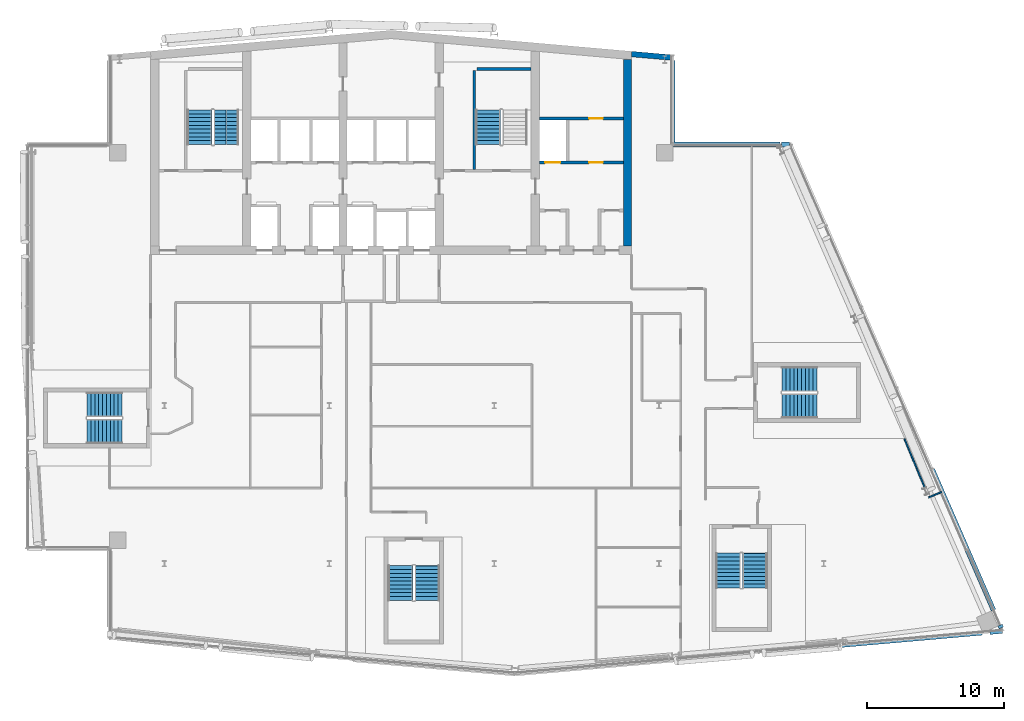
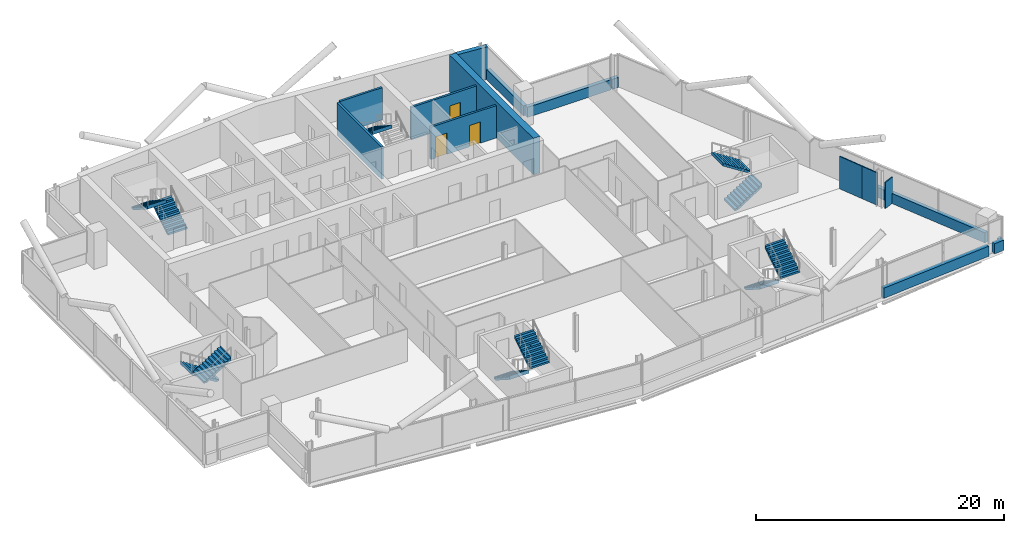
# One storey, part 19 of 27: 16 walls, 11 stair flights, 3 doors, 3 openings, 6 elements without a shape of their own.
"""IFC4 building model written with IfcOpenShell, lengths in metres."""

from ifc_helpers import new_model, si_unit, direction, frame, frame_2d, origin, place, context, subcontext, project, spatial, polyline, rectangle, outline, extrude, material, layer, layer_set, type_object, element, fill, aggregate, save


model = new_model("IFC4")

# Units and contexts
model_context = context("Model", 3, precision=1e-05, world=origin(), true_north=direction((0.0, 1.0)))
body_context = subcontext(model_context, "Body", "Model", "MODEL_VIEW")
ifc_project = project(units=[si_unit("LENGTHUNIT", "METRE"), si_unit("AREAUNIT", "SQUARE_METRE"), si_unit("VOLUMEUNIT", "CUBIC_METRE"), si_unit("PLANEANGLEUNIT", "RADIAN"), si_unit("MASSUNIT", "GRAM", prefix="KILO")], contexts=[model_context])

# Site, building, storey
site_placement = place(None, origin())
site = spatial("IfcSite", under=ifc_project, at=site_placement, CompositionType="ELEMENT")
building_placement = place(site_placement, origin())
building = spatial("IfcBuilding", under=site, at=building_placement, Name="Wharfspan Tower", CompositionType="ELEMENT")
storey_placement = place(building_placement, frame((0.0, 0.0, 221.5)))
storey = spatial("IfcBuildingStorey", under=building, at=storey_placement, Name="L55", CompositionType="ELEMENT", Elevation=221.5)

# Wall
ifc_material_1 = material(Name="Concrete C50/60", Category="concrete")
ifc_layer_1 = layer(ifc_material_1, 0.600098)
ifc_layer_set_1 = layer_set([ifc_layer_1], Name="Concrete C50/60")
wall_type_1 = type_object("IfcWallType", Name="Core wall 600 C50/60", PredefinedType="SHEAR", material=ifc_layer_set_1)
wall_1_placement = place(storey_placement, frame((57.699951, 34.600098, 0.0), z_axis=(0.0, 0.0, 1.0), x_axis=(0.0, 1.0, 0.0)))
element("IfcWall", 1, at=wall_1_placement, inside=storey, type_object=wall_type_1, Name="Core cross wall EW1 L55", PredefinedType="SHEAR", context=body_context, shape_type="SweptSolid", body=[
    extrude(rectangle(XDim=13.584961, YDim=0.600098, at=frame_2d((6.79248, 0.0))), origin(), (0.0, 0.0, 1.0), 3.600098),
])

# Wall, openings, doors
ifc_material_2 = material(Name="Concrete C30/37", Category="concrete")
ifc_layer_2 = layer(ifc_material_2, 0.199951)
ifc_layer_set_2 = layer_set([ifc_layer_2], Name="Concrete C30/37")
wall_type_2 = type_object("IfcWallType", Name="Lift shaft wall 200", PredefinedType="PARTITIONING", material=ifc_layer_set_2)
wall_2_placement = place(storey_placement, frame((51.300049, 40.699951, 0.0), z_axis=(0.0, 0.0, 1.0), x_axis=(1.0, 0.0, 0.0)))
wall_2 = element("IfcWall", 2, at=wall_2_placement, inside=storey, type_object=wall_type_2, Name="sw:L55:RF6", PredefinedType="PARTITIONING", context=body_context, shape_type="SweptSolid", body=[
    extrude(rectangle(XDim=6.099854, YDim=0.199951, at=frame_2d((3.049805, 0.0))), origin(), (0.0, 0.0, 1.0), 3.199951),
])
opening_1_placement = place(wall_2_placement, frame((0.416748, 0.0, 0.0)))
opening_1 = element("IfcOpeningElement", 3, at=opening_1_placement, cuts=wall_2, Name="Opening LD.LB8.L55", PredefinedType="OPENING", context=body_context, shape_type="SweptSolid", body=[
    extrude(rectangle(XDim=1.100098, YDim=2.100098, at=frame_2d((0.550049, 1.050049))), frame((0.0, 0.109863, 0.0), z_axis=(0.0, -1.0, 0.0), x_axis=(1.0, 0.0, 0.0)), (0.0, 0.0, 1.0), 0.219971),
])
opening_2_placement = place(wall_2_placement, frame((3.616699, 0.0, 0.0)))
opening_2 = element("IfcOpeningElement", 4, at=opening_2_placement, cuts=wall_2, Name="Opening CD55.6R2", PredefinedType="OPENING", context=body_context, shape_type="SweptSolid", body=[
    extrude(rectangle(XDim=1.0, YDim=2.100098, at=frame_2d((0.5, 1.050049))), frame((0.0, 0.109863, 0.0), z_axis=(0.0, -1.0, 0.0), x_axis=(1.0, 0.0, 0.0)), (0.0, 0.0, 1.0), 0.219971),
])
ifc_material_3 = material(Name="Steel door leaf", Category="steel")
door_type_1 = type_object("IfcDoorType", Name="Core room door 1000x2100", OperationType="SINGLE_SWING_LEFT", PredefinedType="DOOR", material=ifc_material_3)
door_1_placement = place(opening_2_placement, origin())
door_1 = element("IfcDoor", 5, at=door_1_placement, inside=storey, type_object=door_type_1, Name="d:L55:6:rd6.2", OperationType="SINGLE_SWING_RIGHT", OverallHeight=2.100098, OverallWidth=1.0, PredefinedType="DOOR", context=body_context, shape_type="SweptSolid", body=[
    extrude(rectangle(XDim=1.0, YDim=2.100098, at=frame_2d((0.5, 1.050049))), frame((0.0, 0.024902, 0.0), z_axis=(0.0, -1.0, 0.0), x_axis=(1.0, 0.0, 0.0)), (0.0, 0.0, 1.0), 0.050049),
])
fill(opening_2, door_1)
ifc_material_4 = material(Name="Stainless steel", Category="steel")
door_type_2 = type_object("IfcDoorType", Name="Lift landing door 1100x2100", OperationType="DOUBLE_DOOR_SLIDING", PredefinedType="DOOR", material=ifc_material_4)
door_2_placement = place(opening_1_placement, origin())
door_2 = element("IfcDoor", 6, at=door_2_placement, inside=storey, type_object=door_type_2, Name="Landing door LB8 L55", OperationType="DOUBLE_DOOR_SLIDING", OverallHeight=2.100098, OverallWidth=1.100098, PredefinedType="DOOR", context=body_context, shape_type="SweptSolid", body=[
    extrude(rectangle(XDim=1.100098, YDim=2.100098, at=frame_2d((0.550049, 1.050049))), frame((0.0, 0.024902, 0.0), z_axis=(0.0, -1.0, 0.0), x_axis=(1.0, 0.0, 0.0)), (0.0, 0.0, 1.0), 0.050049),
])
fill(opening_1, door_2)

# Wall, opening, door
wall_3_placement = place(storey_placement, frame((51.300049, 43.899902, 0.0), z_axis=(0.0, 0.0, 1.0), x_axis=(1.0, 0.0, 0.0)))
wall_3 = element("IfcWall", 7, at=wall_3_placement, inside=storey, type_object=wall_type_2, Name="sw:L55:RR6", PredefinedType="PARTITIONING", context=body_context, shape_type="SweptSolid", body=[
    extrude(rectangle(XDim=6.099854, YDim=0.199951, at=frame_2d((3.049805, 0.0))), origin(), (0.0, 0.0, 1.0), 3.199951),
])
opening_3_placement = place(wall_3_placement, frame((3.616699, 0.0, 0.0)))
opening_3 = element("IfcOpeningElement", 8, at=opening_3_placement, cuts=wall_3, Name="Opening CD55.6S2", PredefinedType="OPENING", context=body_context, shape_type="SweptSolid", body=[
    extrude(rectangle(XDim=1.0, YDim=2.100098, at=frame_2d((0.5, 1.050049))), frame((0.0, 0.109863, 0.0), z_axis=(0.0, -1.0, 0.0), x_axis=(1.0, 0.0, 0.0)), (0.0, 0.0, 1.0), 0.219971),
])
door_3_placement = place(opening_3_placement, origin())
door_3 = element("IfcDoor", 9, at=door_3_placement, inside=storey, type_object=door_type_1, Name="d:L55:6:rs6.2", OperationType="SINGLE_SWING_LEFT", OverallHeight=2.100098, OverallWidth=1.0, PredefinedType="DOOR", context=body_context, shape_type="SweptSolid", body=[
    extrude(rectangle(XDim=1.0, YDim=2.100098, at=frame_2d((0.5, 1.050049))), frame((0.0, 0.024902, 0.0), z_axis=(0.0, -1.0, 0.0), x_axis=(1.0, 0.0, 0.0)), (0.0, 0.0, 1.0), 0.050049),
])
fill(opening_3, door_3)

# Walls
ifc_material_5 = material(Name="Gypsum board on steel studs", Category="steel")
ifc_layer_3 = layer(ifc_material_5, 0.100098)
ifc_layer_set_3 = layer_set([ifc_layer_3], Name="Gypsum board on steel studs")
wall_type_3 = type_object("IfcWallType", Name="Partition 100", PredefinedType="PARTITIONING", material=ifc_layer_set_3)
wall_4_placement = place(storey_placement, frame((78.75, 18.445068, 0.0), z_axis=(0.0, 0.0, 1.0), x_axis=(-0.381663, 0.924299, 0.0)))
element("IfcWall", 10, at=wall_4_placement, inside=storey, type_object=wall_type_3, Name="Partition L55.w055", PredefinedType="PARTITIONING", context=body_context, shape_type="SweptSolid", body=[
    extrude(rectangle(XDim=2.309814, YDim=0.100098, at=frame_2d((1.154785, 0.0))), origin(), (0.0, 0.0, 1.0), 3.199951),
])
wall_5_placement = place(storey_placement, frame((79.350098, 17.004883, 0.0), z_axis=(0.0, 0.0, 1.0), x_axis=(-0.383703, 0.923459, 0.0)))
element("IfcWall", 11, at=wall_5_placement, inside=storey, type_object=wall_type_3, Name="Partition L55.w056", PredefinedType="PARTITIONING", context=body_context, shape_type="SweptSolid", body=[
    extrude(rectangle(XDim=1.537842, YDim=0.100098, at=frame_2d((0.769043, 0.0))), origin(), (0.0, 0.0, 1.0), 3.199951),
])
wall_6_placement = place(storey_placement, frame((79.629883, 16.314941, 0.0), z_axis=(0.0, 0.0, 1.0), x_axis=(0.918616, 0.395147, 0.0)))
element("IfcWall", 12, at=wall_6_placement, inside=storey, type_object=wall_type_3, Name="Partition L55.w057", PredefinedType="PARTITIONING", context=body_context, shape_type="SweptSolid", body=[
    extrude(rectangle(XDim=1.03125, YDim=0.100098, at=frame_2d((0.515625, 0.0))), origin(), (0.0, 0.0, 1.0), 2.580078),
])
ifc_material_6 = material(Name="Concrete C40/50", Category="concrete")
ifc_layer_4 = layer(ifc_material_6, 0.350098)
ifc_layer_set_4 = layer_set([ifc_layer_4], Name="Concrete C40/50")
wall_type_4 = type_object("IfcWallType", Name="SPANDREL EXPOSED CONCRETE 350", PredefinedType="SOLIDWALL", material=ifc_layer_set_4)
wall_7_placement = place(storey_placement, frame((73.197021, 5.562256, 0.0), z_axis=(0.0, 0.0, 1.0), x_axis=(0.996198, 0.087163, 0.0)))
element("IfcWall", 13, at=wall_7_placement, inside=storey, type_object=wall_type_4, Name="Spandrel upstand L55 S2 2", PredefinedType="SOLIDWALL", context=body_context, shape_type="SweptSolid", body=[
    extrude(rectangle(XDim=10.35791, YDim=0.350098, at=frame_2d((5.178955, 0.0))), origin(), (0.0, 0.0, 1.0), 1.0),
])
wall_8_placement = place(storey_placement, frame((84.077637, 6.514404, 0.0), z_axis=(0.0, 0.0, 1.0), x_axis=(0.996213, 0.086971, 0.0)))
element("IfcWall", 14, at=wall_8_placement, inside=storey, type_object=wall_type_4, Name="Spandrel upstand L55 S2 3", PredefinedType="SOLIDWALL", context=body_context, shape_type="SweptSolid", body=[
    extrude(rectangle(XDim=0.92627, YDim=0.350098, at=frame_2d((0.463135, 0.0))), origin(), (0.0, 0.0, 1.0), 1.0),
])
wall_9_placement = place(storey_placement, frame((84.9104, 6.818604, 0.0), z_axis=(0.0, 0.0, 1.0), x_axis=(-0.398359, 0.91723, 0.0)))
element("IfcWall", 15, at=wall_9_placement, inside=storey, type_object=wall_type_4, Name="Spandrel upstand L55 E", PredefinedType="SOLIDWALL", context=body_context, shape_type="SweptSolid", body=[
    extrude(rectangle(XDim=0.21875, YDim=0.350098, at=frame_2d((0.109375, 0.0))), origin(), (0.0, 0.0, 1.0), 1.0),
])
wall_10_placement = place(storey_placement, frame((84.344727, 8.119873, 0.0), z_axis=(0.0, 0.0, 1.0), x_axis=(-0.398721, 0.917067, 0.0)))
element("IfcWall", 16, at=wall_10_placement, inside=storey, type_object=wall_type_4, Name="Spandrel upstand L55 E 2", PredefinedType="SOLIDWALL", context=body_context, shape_type="SweptSolid", body=[
    extrude(rectangle(XDim=11.181885, YDim=0.350098, at=frame_2d((5.59082, 0.0))), origin(), (0.0, 0.0, 1.0), 1.0),
])
wall_11_placement = place(storey_placement, frame((69.498535, 42.004883, 0.0), z_axis=(0.0, 0.0, 1.0), x_axis=(-1.0, 0.0, 0.0)))
element("IfcWall", 17, at=wall_11_placement, inside=storey, type_object=wall_type_4, Name="Spandrel upstand L55 NRE-H", PredefinedType="SOLIDWALL", context=body_context, shape_type="SweptSolid", body=[
    extrude(rectangle(XDim=0.57666, YDim=0.350098, at=frame_2d((0.28833, 0.0))), origin(), (0.0, 0.0, 1.0), 1.0),
])
wall_12_placement = place(storey_placement, frame((68.803467, 42.004883, 0.0), z_axis=(0.0, 0.0, 1.0), x_axis=(-1.0, 0.0, 0.0)))
element("IfcWall", 18, at=wall_12_placement, inside=storey, type_object=wall_type_4, Name="Spandrel upstand L55 NRE-H 2", PredefinedType="SOLIDWALL", context=body_context, shape_type="SweptSolid", body=[
    extrude(rectangle(XDim=7.803467, YDim=0.350098, at=frame_2d((3.901855, 0.0))), origin(), (0.0, 0.0, 1.0), 1.0),
])
wall_13_placement = place(storey_placement, frame((61.004883, 42.179932, 0.0), z_axis=(0.0, 0.0, 1.0), x_axis=(0.0, 1.0, 0.0)))
element("IfcWall", 19, at=wall_13_placement, inside=storey, type_object=wall_type_4, Name="Spandrel upstand L55 NRE-V", PredefinedType="SOLIDWALL", context=body_context, shape_type="SweptSolid", body=[
    extrude(rectangle(XDim=5.946533, YDim=0.350098, at=frame_2d((2.973145, 0.0))), origin(), (0.0, 0.0, 1.0), 1.0),
])
ifc_layer_5 = layer(ifc_material_6, 0.199951)
ifc_layer_set_5 = layer_set([ifc_layer_5], Name="Concrete C40/50")
wall_type_5 = type_object("IfcWallType", Name="Stair shaft wall 200", PredefinedType="SHEAR", material=ifc_layer_set_5)
wall_14_placement = place(storey_placement, frame((46.550049, 40.199951, 0.0), z_axis=(0.0, 0.0, 1.0), x_axis=(0.0, 1.0, 0.0)))
element("IfcWall", 20, at=wall_14_placement, inside=storey, type_object=wall_type_5, Name="ST2 stair enclosure wall L55", PredefinedType="SHEAR", context=body_context, shape_type="SweptSolid", body=[
    extrude(rectangle(XDim=7.199951, YDim=0.199951, at=frame_2d((3.600098, 0.0))), origin(), (0.0, 0.0, 1.0), 3.199951),
])
wall_15_placement = place(storey_placement, frame((46.75, 47.5, 0.0), z_axis=(0.0, 0.0, 1.0), x_axis=(1.0, 0.0, 0.0)))
element("IfcWall", 21, at=wall_15_placement, inside=storey, type_object=wall_type_5, Name="ST2 stair enclosure wall L55", PredefinedType="SHEAR", context=body_context, shape_type="SweptSolid", body=[
    extrude(rectangle(XDim=3.949951, YDim=0.199951, at=frame_2d((1.975098, 0.0))), origin(), (0.0, 0.0, 1.0), 3.199951),
])
ifc_layer_6 = layer(ifc_material_6, 0.399902)
ifc_layer_set_6 = layer_set([ifc_layer_6], Name="Concrete C40/50")
wall_type_6 = type_object("IfcWallType", Name="WALL EXPOSED CONCRETE 400", PredefinedType="SOLIDWALL", material=ifc_layer_set_6)
wall_16_placement = place(storey_placement, frame((60.982666, 48.325684, 0.0), z_axis=(0.0, 0.0, 1.0), x_axis=(-0.996194, 0.087168, 0.0)))
element("IfcWall", 22, at=wall_16_placement, inside=storey, type_object=wall_type_6, Name="Rear wall N2", PredefinedType="SOLIDWALL", context=body_context, shape_type="SweptSolid", body=[
    extrude(rectangle(XDim=2.994141, YDim=0.399902, at=frame_2d((1.49707, 0.0))), origin(), (0.0, 0.0, 1.0), 3.199951),
])

# Stair, stair flights
stair_type = type_object("IfcStairType", Name="Half-turn stair 20 risers 180 mm", PredefinedType="HALF_TURN_STAIR", material=ifc_material_6)
stair_1_placement = place(storey_placement, origin())
stair_1 = element("IfcStair", 23, at=stair_1_placement, inside=storey, type_object=stair_type, Name="L55 stair ST1", PredefinedType="HALF_TURN_STAIR")
stair_flight_type = type_object("IfcStairFlightType", Name="Stair flight 20 risers 180 mm", PredefinedType="STRAIGHT", material=ifc_material_6)
stair_flight_1_placement = place(storey_placement, frame((28.5, 42.0, 0.0), z_axis=(0.0, 0.0, 1.0), x_axis=(0.0, 1.0, 0.0)))
stair_flight_1 = element("IfcStairFlight", 24, at=stair_flight_1_placement, type_object=stair_flight_type, Name="ST1 flight 1", NumberOfRisers=10, NumberOfTreads=9, PredefinedType="STRAIGHT", RiserHeight=0.18, TreadLength=0.28, context=body_context, shape_type="SweptSolid", body=[
    extrude(outline(polyline([(-0.011963, 0.0), (-0.011963, 0.179932), (0.0, 0.179932), (0.280029, 0.179932), (0.280029, 0.360107), (0.560059, 0.360107), (0.560059, 0.540039), (0.840088, 0.540039), (0.840088, 0.719971), (1.120117, 0.719971), (1.120117, 0.899902), (1.399902, 0.899902), (1.399902, 1.080078), (1.679932, 1.080078), (1.679932, 1.26001), (1.959961, 1.26001), (1.959961, 1.439941), (2.23999, 1.439941), (2.23999, 1.620117), (2.52002, 1.620117), (2.531982, 1.800049), (2.531982, 1.441895), (0.2771, 0.0), (-0.011963, 0.0)])), frame((0.0, 0.899902, 0.0), z_axis=(0.0, -1.0, 0.0), x_axis=(1.0, 0.0, 0.0)), (0.0, 0.0, 1.0), 0.899414),
    extrude(outline(polyline([(-0.011963, 0.0), (-0.011963, 0.179932), (0.0, 0.179932), (0.280029, 0.179932), (0.280029, 0.360107), (0.560059, 0.360107), (0.560059, 0.540039), (0.840088, 0.540039), (0.840088, 0.719971), (1.120117, 0.719971), (1.120117, 0.899902), (1.399902, 0.899902), (1.399902, 1.080078), (1.679932, 1.080078), (1.679932, 1.26001), (1.959961, 1.26001), (1.959961, 1.439941), (2.23999, 1.439941), (2.23999, 1.620117), (2.52002, 1.620117), (2.531982, 1.800049), (2.531982, 1.441895), (0.2771, 0.0), (-0.011963, 0.0)])), frame((0.0, -0.000488, 0.0), z_axis=(0.0, -1.0, 0.0), x_axis=(1.0, 0.0, 0.0)), (0.0, 0.0, 1.0), 0.899414),
])
stair_flight_2_placement = place(storey_placement, frame((26.550049, 44.52002, 1.800049), z_axis=(0.0, 0.0, 1.0), x_axis=(0.0, -1.0, 0.0)))
stair_flight_2 = element("IfcStairFlight", 25, at=stair_flight_2_placement, type_object=stair_flight_type, Name="ST1 flight 2", NumberOfRisers=10, NumberOfTreads=9, PredefinedType="STRAIGHT", RiserHeight=0.18, TreadLength=0.28, context=body_context, shape_type="SweptSolid", body=[
    extrude(outline(polyline([(-0.011963, 0.0), (-0.011963, 0.179932), (0.0, 0.179932), (0.280029, 0.179932), (0.280029, 0.360107), (0.560059, 0.360107), (0.560059, 0.540039), (0.840088, 0.540039), (0.840088, 0.719971), (1.120117, 0.719971), (1.120117, 0.899902), (1.399902, 0.899902), (1.399902, 1.080078), (1.679932, 1.080078), (1.679932, 1.26001), (1.959961, 1.26001), (1.959961, 1.439941), (2.23999, 1.439941), (2.23999, 1.620117), (2.52002, 1.620117), (2.531982, 1.800049), (2.531982, 1.441895), (0.2771, 0.0), (-0.011963, 0.0)])), frame((0.0, 0.899902, 0.0), z_axis=(0.0, -1.0, 0.0), x_axis=(1.0, 0.0, 0.0)), (0.0, 0.0, 1.0), 0.899414),
    extrude(outline(polyline([(-0.011963, 0.0), (-0.011963, 0.179932), (0.0, 0.179932), (0.280029, 0.179932), (0.280029, 0.360107), (0.560059, 0.360107), (0.560059, 0.540039), (0.840088, 0.540039), (0.840088, 0.719971), (1.120117, 0.719971), (1.120117, 0.899902), (1.399902, 0.899902), (1.399902, 1.080078), (1.679932, 1.080078), (1.679932, 1.26001), (1.959961, 1.26001), (1.959961, 1.439941), (2.23999, 1.439941), (2.23999, 1.620117), (2.52002, 1.620117), (2.531982, 1.800049), (2.531982, 1.441895), (0.2771, 0.0), (-0.011963, 0.0)])), frame((0.0, -0.000488, 0.0), z_axis=(0.0, -1.0, 0.0), x_axis=(1.0, 0.0, 0.0)), (0.0, 0.0, 1.0), 0.899414),
])
aggregate(stair_1, [stair_flight_1, stair_flight_2])

# Stair, stair flight
stair_2_placement = place(storey_placement, origin())
stair_2 = element("IfcStair", 26, at=stair_2_placement, inside=storey, type_object=stair_type, Name="L55 stair ST2", PredefinedType="HALF_TURN_STAIR")
stair_flight_3_placement = place(storey_placement, frame((47.550049, 44.52002, 1.800049), z_axis=(0.0, 0.0, 1.0), x_axis=(0.0, -1.0, 0.0)))
stair_flight_3 = element("IfcStairFlight", 27, at=stair_flight_3_placement, type_object=stair_flight_type, Name="ST2 flight 2", NumberOfRisers=10, NumberOfTreads=9, PredefinedType="STRAIGHT", RiserHeight=0.18, TreadLength=0.28, context=body_context, shape_type="SweptSolid", body=[
    extrude(outline(polyline([(-0.011963, 0.0), (-0.011963, 0.179932), (0.0, 0.179932), (0.280029, 0.179932), (0.280029, 0.360107), (0.560059, 0.360107), (0.560059, 0.540039), (0.840088, 0.540039), (0.840088, 0.719971), (1.120117, 0.719971), (1.120117, 0.899902), (1.399902, 0.899902), (1.399902, 1.080078), (1.679932, 1.080078), (1.679932, 1.26001), (1.959961, 1.26001), (1.959961, 1.439941), (2.23999, 1.439941), (2.23999, 1.620117), (2.52002, 1.620117), (2.531982, 1.800049), (2.531982, 1.441895), (0.2771, 0.0), (-0.011963, 0.0)])), frame((0.0, 0.899902, 0.0), z_axis=(0.0, -1.0, 0.0), x_axis=(1.0, 0.0, 0.0)), (0.0, 0.0, 1.0), 0.899414),
    extrude(outline(polyline([(-0.011963, 0.0), (-0.011963, 0.179932), (0.0, 0.179932), (0.280029, 0.179932), (0.280029, 0.360107), (0.560059, 0.360107), (0.560059, 0.540039), (0.840088, 0.540039), (0.840088, 0.719971), (1.120117, 0.719971), (1.120117, 0.899902), (1.399902, 0.899902), (1.399902, 1.080078), (1.679932, 1.080078), (1.679932, 1.26001), (1.959961, 1.26001), (1.959961, 1.439941), (2.23999, 1.439941), (2.23999, 1.620117), (2.52002, 1.620117), (2.531982, 1.800049), (2.531982, 1.441895), (0.2771, 0.0), (-0.011963, 0.0)])), frame((0.0, -0.000488, 0.0), z_axis=(0.0, -1.0, 0.0), x_axis=(1.0, 0.0, 0.0)), (0.0, 0.0, 1.0), 0.899414),
])
aggregate(stair_2, [stair_flight_3])

# Stair, stair flights
stair_3_placement = place(storey_placement, origin())
stair_3 = element("IfcStair", 28, at=stair_3_placement, inside=storey, type_object=stair_type, Name="L55 stair ST3", PredefinedType="HALF_TURN_STAIR")
stair_flight_4_placement = place(storey_placement, frame((20.899902, 23.074951, 0.0), z_axis=(0.0, 0.0, 1.0), x_axis=(-1.0, 0.0, 0.0)))
stair_flight_4 = element("IfcStairFlight", 29, at=stair_flight_4_placement, type_object=stair_flight_type, Name="ST3 flight 1", NumberOfRisers=10, NumberOfTreads=9, PredefinedType="STRAIGHT", RiserHeight=0.18, TreadLength=0.28, context=body_context, shape_type="SweptSolid", body=[
    extrude(outline(polyline([(-0.011963, 0.0), (-0.011963, 0.179932), (0.0, 0.179932), (0.280029, 0.179932), (0.280029, 0.360107), (0.560059, 0.360107), (0.560059, 0.540039), (0.840088, 0.540039), (0.840088, 0.719971), (1.120117, 0.719971), (1.120117, 0.899902), (1.399902, 0.899902), (1.399902, 1.080078), (1.679932, 1.080078), (1.679932, 1.26001), (1.959961, 1.26001), (1.959961, 1.439941), (2.23999, 1.439941), (2.23999, 1.620117), (2.52002, 1.620117), (2.531982, 1.800049), (2.531982, 1.441895), (0.2771, 0.0), (-0.011963, 0.0)])), frame((0.0, 0.899902, 0.0), z_axis=(0.0, -1.0, 0.0), x_axis=(1.0, 0.0, 0.0)), (0.0, 0.0, 1.0), 0.899414),
    extrude(outline(polyline([(-0.011963, 0.0), (-0.011963, 0.179932), (0.0, 0.179932), (0.280029, 0.179932), (0.280029, 0.360107), (0.560059, 0.360107), (0.560059, 0.540039), (0.840088, 0.540039), (0.840088, 0.719971), (1.120117, 0.719971), (1.120117, 0.899902), (1.399902, 0.899902), (1.399902, 1.080078), (1.679932, 1.080078), (1.679932, 1.26001), (1.959961, 1.26001), (1.959961, 1.439941), (2.23999, 1.439941), (2.23999, 1.620117), (2.52002, 1.620117), (2.531982, 1.800049), (2.531982, 1.441895), (0.2771, 0.0), (-0.011963, 0.0)])), frame((0.0, -0.000488, 0.0), z_axis=(0.0, -1.0, 0.0), x_axis=(1.0, 0.0, 0.0)), (0.0, 0.0, 1.0), 0.899414),
])
stair_flight_5_placement = place(storey_placement, frame((18.379883, 21.125, 1.800049), z_axis=(0.0, 0.0, 1.0), x_axis=(1.0, 0.0, 0.0)))
stair_flight_5 = element("IfcStairFlight", 30, at=stair_flight_5_placement, type_object=stair_flight_type, Name="ST3 flight 2", NumberOfRisers=10, NumberOfTreads=9, PredefinedType="STRAIGHT", RiserHeight=0.18, TreadLength=0.28, context=body_context, shape_type="SweptSolid", body=[
    extrude(outline(polyline([(-0.011963, 0.0), (-0.011963, 0.179932), (0.0, 0.179932), (0.280029, 0.179932), (0.280029, 0.360107), (0.560059, 0.360107), (0.560059, 0.540039), (0.840088, 0.540039), (0.840088, 0.719971), (1.120117, 0.719971), (1.120117, 0.899902), (1.399902, 0.899902), (1.399902, 1.080078), (1.679932, 1.080078), (1.679932, 1.26001), (1.959961, 1.26001), (1.959961, 1.439941), (2.23999, 1.439941), (2.23999, 1.620117), (2.52002, 1.620117), (2.531982, 1.800049), (2.531982, 1.441895), (0.2771, 0.0), (-0.011963, 0.0)])), frame((0.0, 0.899902, 0.0), z_axis=(0.0, -1.0, 0.0), x_axis=(1.0, 0.0, 0.0)), (0.0, 0.0, 1.0), 0.899414),
    extrude(outline(polyline([(-0.011963, 0.0), (-0.011963, 0.179932), (0.0, 0.179932), (0.280029, 0.179932), (0.280029, 0.360107), (0.560059, 0.360107), (0.560059, 0.540039), (0.840088, 0.540039), (0.840088, 0.719971), (1.120117, 0.719971), (1.120117, 0.899902), (1.399902, 0.899902), (1.399902, 1.080078), (1.679932, 1.080078), (1.679932, 1.26001), (1.959961, 1.26001), (1.959961, 1.439941), (2.23999, 1.439941), (2.23999, 1.620117), (2.52002, 1.620117), (2.531982, 1.800049), (2.531982, 1.441895), (0.2771, 0.0), (-0.011963, 0.0)])), frame((0.0, -0.000488, 0.0), z_axis=(0.0, -1.0, 0.0), x_axis=(1.0, 0.0, 0.0)), (0.0, 0.0, 1.0), 0.899414),
])
aggregate(stair_3, [stair_flight_4, stair_flight_5])

stair_4_placement = place(storey_placement, origin())
stair_4 = element("IfcStair", 31, at=stair_4_placement, inside=storey, type_object=stair_type, Name="L55 stair ST4", PredefinedType="HALF_TURN_STAIR")
stair_flight_6_placement = place(storey_placement, frame((41.177002, 11.343262, 0.0), z_axis=(0.0, 0.0, 1.0), x_axis=(0.0, -1.0, 0.0)))
stair_flight_6 = element("IfcStairFlight", 32, at=stair_flight_6_placement, type_object=stair_flight_type, Name="ST4 flight 1", NumberOfRisers=10, NumberOfTreads=9, PredefinedType="STRAIGHT", RiserHeight=0.18, TreadLength=0.28, context=body_context, shape_type="SweptSolid", body=[
    extrude(outline(polyline([(-0.011963, 0.0), (-0.011963, 0.179932), (0.0, 0.179932), (0.280029, 0.179932), (0.280029, 0.360107), (0.560059, 0.360107), (0.560059, 0.540039), (0.840088, 0.540039), (0.840088, 0.719971), (1.120117, 0.719971), (1.120117, 0.899902), (1.399902, 0.899902), (1.399902, 1.080078), (1.679932, 1.080078), (1.679932, 1.26001), (1.959961, 1.26001), (1.959961, 1.439941), (2.23999, 1.439941), (2.23999, 1.620117), (2.52002, 1.620117), (2.531982, 1.800049), (2.531982, 1.441895), (0.2771, 0.0), (-0.011963, 0.0)])), frame((0.0, 0.899902, 0.0), z_axis=(0.0, -1.0, 0.0), x_axis=(1.0, 0.0, 0.0)), (0.0, 0.0, 1.0), 0.899414),
    extrude(outline(polyline([(-0.011963, 0.0), (-0.011963, 0.179932), (0.0, 0.179932), (0.280029, 0.179932), (0.280029, 0.360107), (0.560059, 0.360107), (0.560059, 0.540039), (0.840088, 0.540039), (0.840088, 0.719971), (1.120117, 0.719971), (1.120117, 0.899902), (1.399902, 0.899902), (1.399902, 1.080078), (1.679932, 1.080078), (1.679932, 1.26001), (1.959961, 1.26001), (1.959961, 1.439941), (2.23999, 1.439941), (2.23999, 1.620117), (2.52002, 1.620117), (2.531982, 1.800049), (2.531982, 1.441895), (0.2771, 0.0), (-0.011963, 0.0)])), frame((0.0, -0.000488, 0.0), z_axis=(0.0, -1.0, 0.0), x_axis=(1.0, 0.0, 0.0)), (0.0, 0.0, 1.0), 0.899414),
])
stair_flight_7_placement = place(storey_placement, frame((43.127197, 8.823242, 1.800049), z_axis=(0.0, 0.0, 1.0), x_axis=(0.0, 1.0, 0.0)))
stair_flight_7 = element("IfcStairFlight", 33, at=stair_flight_7_placement, type_object=stair_flight_type, Name="ST4 flight 2", NumberOfRisers=10, NumberOfTreads=9, PredefinedType="STRAIGHT", RiserHeight=0.18, TreadLength=0.28, context=body_context, shape_type="SweptSolid", body=[
    extrude(outline(polyline([(-0.011963, 0.0), (-0.011963, 0.179932), (0.0, 0.179932), (0.280029, 0.179932), (0.280029, 0.360107), (0.560059, 0.360107), (0.560059, 0.540039), (0.840088, 0.540039), (0.840088, 0.719971), (1.120117, 0.719971), (1.120117, 0.899902), (1.399902, 0.899902), (1.399902, 1.080078), (1.679932, 1.080078), (1.679932, 1.26001), (1.959961, 1.26001), (1.959961, 1.439941), (2.23999, 1.439941), (2.23999, 1.620117), (2.52002, 1.620117), (2.531982, 1.800049), (2.531982, 1.441895), (0.2771, 0.0), (-0.011963, 0.0)])), frame((0.0, 0.899902, 0.0), z_axis=(0.0, -1.0, 0.0), x_axis=(1.0, 0.0, 0.0)), (0.0, 0.0, 1.0), 0.899414),
    extrude(outline(polyline([(-0.011963, 0.0), (-0.011963, 0.179932), (0.0, 0.179932), (0.280029, 0.179932), (0.280029, 0.360107), (0.560059, 0.360107), (0.560059, 0.540039), (0.840088, 0.540039), (0.840088, 0.719971), (1.120117, 0.719971), (1.120117, 0.899902), (1.399902, 0.899902), (1.399902, 1.080078), (1.679932, 1.080078), (1.679932, 1.26001), (1.959961, 1.26001), (1.959961, 1.439941), (2.23999, 1.439941), (2.23999, 1.620117), (2.52002, 1.620117), (2.531982, 1.800049), (2.531982, 1.441895), (0.2771, 0.0), (-0.011963, 0.0)])), frame((0.0, -0.000488, 0.0), z_axis=(0.0, -1.0, 0.0), x_axis=(1.0, 0.0, 0.0)), (0.0, 0.0, 1.0), 0.899414),
])
aggregate(stair_4, [stair_flight_6, stair_flight_7])

stair_5_placement = place(storey_placement, origin())
stair_5 = element("IfcStair", 34, at=stair_5_placement, inside=storey, type_object=stair_type, Name="L55 stair ST5", PredefinedType="HALF_TURN_STAIR")
stair_flight_8_placement = place(storey_placement, frame((65.043701, 12.246094, 0.0), z_axis=(0.0, 0.0, 1.0), x_axis=(0.0, -1.0, 0.0)))
stair_flight_8 = element("IfcStairFlight", 35, at=stair_flight_8_placement, type_object=stair_flight_type, Name="ST5 flight 1", NumberOfRisers=10, NumberOfTreads=9, PredefinedType="STRAIGHT", RiserHeight=0.18, TreadLength=0.28, context=body_context, shape_type="SweptSolid", body=[
    extrude(outline(polyline([(-0.011963, 0.0), (-0.011963, 0.179932), (0.0, 0.179932), (0.280029, 0.179932), (0.280029, 0.360107), (0.560059, 0.360107), (0.560059, 0.540039), (0.840088, 0.540039), (0.840088, 0.719971), (1.120117, 0.719971), (1.120117, 0.899902), (1.399902, 0.899902), (1.399902, 1.080078), (1.679932, 1.080078), (1.679932, 1.26001), (1.959961, 1.26001), (1.959961, 1.439941), (2.23999, 1.439941), (2.23999, 1.620117), (2.52002, 1.620117), (2.531982, 1.800049), (2.531982, 1.441895), (0.2771, 0.0), (-0.011963, 0.0)])), frame((0.0, 0.899902, 0.0), z_axis=(0.0, -1.0, 0.0), x_axis=(1.0, 0.0, 0.0)), (0.0, 0.0, 1.0), 0.899414),
    extrude(outline(polyline([(-0.011963, 0.0), (-0.011963, 0.179932), (0.0, 0.179932), (0.280029, 0.179932), (0.280029, 0.360107), (0.560059, 0.360107), (0.560059, 0.540039), (0.840088, 0.540039), (0.840088, 0.719971), (1.120117, 0.719971), (1.120117, 0.899902), (1.399902, 0.899902), (1.399902, 1.080078), (1.679932, 1.080078), (1.679932, 1.26001), (1.959961, 1.26001), (1.959961, 1.439941), (2.23999, 1.439941), (2.23999, 1.620117), (2.52002, 1.620117), (2.531982, 1.800049), (2.531982, 1.441895), (0.2771, 0.0), (-0.011963, 0.0)])), frame((0.0, -0.000488, 0.0), z_axis=(0.0, -1.0, 0.0), x_axis=(1.0, 0.0, 0.0)), (0.0, 0.0, 1.0), 0.899414),
])
stair_flight_9_placement = place(storey_placement, frame((66.993896, 9.726074, 1.800049), z_axis=(0.0, 0.0, 1.0), x_axis=(0.0, 1.0, 0.0)))
stair_flight_9 = element("IfcStairFlight", 36, at=stair_flight_9_placement, type_object=stair_flight_type, Name="ST5 flight 2", NumberOfRisers=10, NumberOfTreads=9, PredefinedType="STRAIGHT", RiserHeight=0.18, TreadLength=0.28, context=body_context, shape_type="SweptSolid", body=[
    extrude(outline(polyline([(-0.011963, 0.0), (-0.011963, 0.179932), (0.0, 0.179932), (0.280029, 0.179932), (0.280029, 0.360107), (0.560059, 0.360107), (0.560059, 0.540039), (0.840088, 0.540039), (0.840088, 0.719971), (1.120117, 0.719971), (1.120117, 0.899902), (1.399902, 0.899902), (1.399902, 1.080078), (1.679932, 1.080078), (1.679932, 1.26001), (1.959961, 1.26001), (1.959961, 1.439941), (2.23999, 1.439941), (2.23999, 1.620117), (2.52002, 1.620117), (2.531982, 1.800049), (2.531982, 1.441895), (0.2771, 0.0), (-0.011963, 0.0)])), frame((0.0, 0.899902, 0.0), z_axis=(0.0, -1.0, 0.0), x_axis=(1.0, 0.0, 0.0)), (0.0, 0.0, 1.0), 0.899414),
    extrude(outline(polyline([(-0.011963, 0.0), (-0.011963, 0.179932), (0.0, 0.179932), (0.280029, 0.179932), (0.280029, 0.360107), (0.560059, 0.360107), (0.560059, 0.540039), (0.840088, 0.540039), (0.840088, 0.719971), (1.120117, 0.719971), (1.120117, 0.899902), (1.399902, 0.899902), (1.399902, 1.080078), (1.679932, 1.080078), (1.679932, 1.26001), (1.959961, 1.26001), (1.959961, 1.439941), (2.23999, 1.439941), (2.23999, 1.620117), (2.52002, 1.620117), (2.531982, 1.800049), (2.531982, 1.441895), (0.2771, 0.0), (-0.011963, 0.0)])), frame((0.0, -0.000488, 0.0), z_axis=(0.0, -1.0, 0.0), x_axis=(1.0, 0.0, 0.0)), (0.0, 0.0, 1.0), 0.899414),
])
aggregate(stair_5, [stair_flight_8, stair_flight_9])

stair_6_placement = place(storey_placement, origin())
stair_6 = element("IfcStair", 37, at=stair_6_placement, inside=storey, type_object=stair_type, Name="L55 stair ST6", PredefinedType="HALF_TURN_STAIR")
stair_flight_10_placement = place(storey_placement, frame((68.969482, 22.975098, 0.0), z_axis=(0.0, 0.0, 1.0), x_axis=(1.0, 0.0, 0.0)))
stair_flight_10 = element("IfcStairFlight", 38, at=stair_flight_10_placement, type_object=stair_flight_type, Name="ST6 flight 1", NumberOfRisers=10, NumberOfTreads=9, PredefinedType="STRAIGHT", RiserHeight=0.18, TreadLength=0.28, context=body_context, shape_type="SweptSolid", body=[
    extrude(outline(polyline([(-0.011963, 0.0), (-0.011963, 0.179932), (0.0, 0.179932), (0.280029, 0.179932), (0.280029, 0.360107), (0.560059, 0.360107), (0.560059, 0.540039), (0.840088, 0.540039), (0.840088, 0.719971), (1.120117, 0.719971), (1.120117, 0.899902), (1.399902, 0.899902), (1.399902, 1.080078), (1.679932, 1.080078), (1.679932, 1.26001), (1.959961, 1.26001), (1.959961, 1.439941), (2.23999, 1.439941), (2.23999, 1.620117), (2.52002, 1.620117), (2.531982, 1.800049), (2.531982, 1.441895), (0.2771, 0.0), (-0.011963, 0.0)])), frame((0.0, 0.899902, 0.0), z_axis=(0.0, -1.0, 0.0), x_axis=(1.0, 0.0, 0.0)), (0.0, 0.0, 1.0), 0.899414),
    extrude(outline(polyline([(-0.011963, 0.0), (-0.011963, 0.179932), (0.0, 0.179932), (0.280029, 0.179932), (0.280029, 0.360107), (0.560059, 0.360107), (0.560059, 0.540039), (0.840088, 0.540039), (0.840088, 0.719971), (1.120117, 0.719971), (1.120117, 0.899902), (1.399902, 0.899902), (1.399902, 1.080078), (1.679932, 1.080078), (1.679932, 1.26001), (1.959961, 1.26001), (1.959961, 1.439941), (2.23999, 1.439941), (2.23999, 1.620117), (2.52002, 1.620117), (2.531982, 1.800049), (2.531982, 1.441895), (0.2771, 0.0), (-0.011963, 0.0)])), frame((0.0, -0.000488, 0.0), z_axis=(0.0, -1.0, 0.0), x_axis=(1.0, 0.0, 0.0)), (0.0, 0.0, 1.0), 0.899414),
])
stair_flight_11_placement = place(storey_placement, frame((71.489502, 24.925049, 1.800049), z_axis=(0.0, 0.0, 1.0), x_axis=(-1.0, 0.0, 0.0)))
stair_flight_11 = element("IfcStairFlight", 39, at=stair_flight_11_placement, type_object=stair_flight_type, Name="ST6 flight 2", NumberOfRisers=10, NumberOfTreads=9, PredefinedType="STRAIGHT", RiserHeight=0.18, TreadLength=0.28, context=body_context, shape_type="SweptSolid", body=[
    extrude(outline(polyline([(-0.011963, 0.0), (-0.011963, 0.179932), (0.0, 0.179932), (0.280029, 0.179932), (0.280029, 0.360107), (0.560059, 0.360107), (0.560059, 0.540039), (0.840088, 0.540039), (0.840088, 0.719971), (1.120117, 0.719971), (1.120117, 0.899902), (1.399902, 0.899902), (1.399902, 1.080078), (1.679932, 1.080078), (1.679932, 1.26001), (1.959961, 1.26001), (1.959961, 1.439941), (2.23999, 1.439941), (2.23999, 1.620117), (2.52002, 1.620117), (2.531982, 1.800049), (2.531982, 1.441895), (0.2771, 0.0), (-0.011963, 0.0)])), frame((0.0, 0.899902, 0.0), z_axis=(0.0, -1.0, 0.0), x_axis=(1.0, 0.0, 0.0)), (0.0, 0.0, 1.0), 0.899414),
    extrude(outline(polyline([(-0.011963, 0.0), (-0.011963, 0.179932), (0.0, 0.179932), (0.280029, 0.179932), (0.280029, 0.360107), (0.560059, 0.360107), (0.560059, 0.540039), (0.840088, 0.540039), (0.840088, 0.719971), (1.120117, 0.719971), (1.120117, 0.899902), (1.399902, 0.899902), (1.399902, 1.080078), (1.679932, 1.080078), (1.679932, 1.26001), (1.959961, 1.26001), (1.959961, 1.439941), (2.23999, 1.439941), (2.23999, 1.620117), (2.52002, 1.620117), (2.531982, 1.800049), (2.531982, 1.441895), (0.2771, 0.0), (-0.011963, 0.0)])), frame((0.0, -0.000488, 0.0), z_axis=(0.0, -1.0, 0.0), x_axis=(1.0, 0.0, 0.0)), (0.0, 0.0, 1.0), 0.899414),
])
aggregate(stair_6, [stair_flight_10, stair_flight_11])

save(model, "model.ifc")
